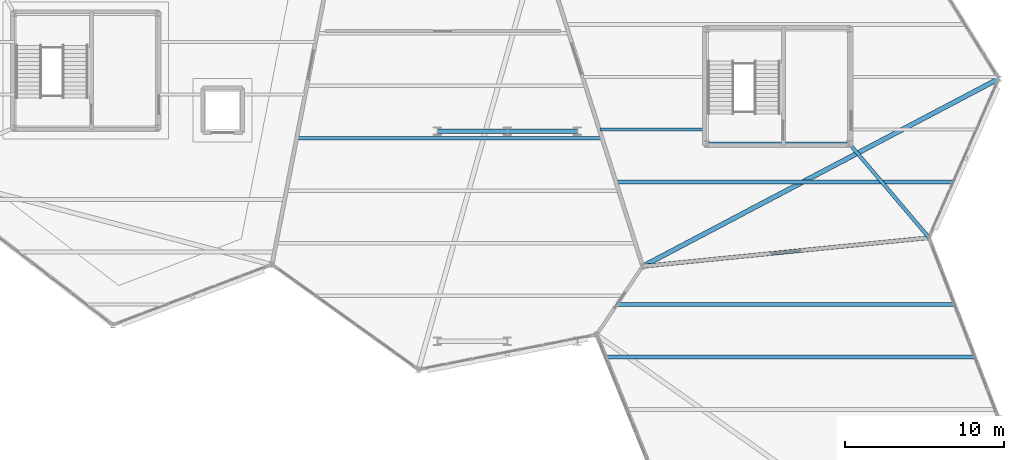
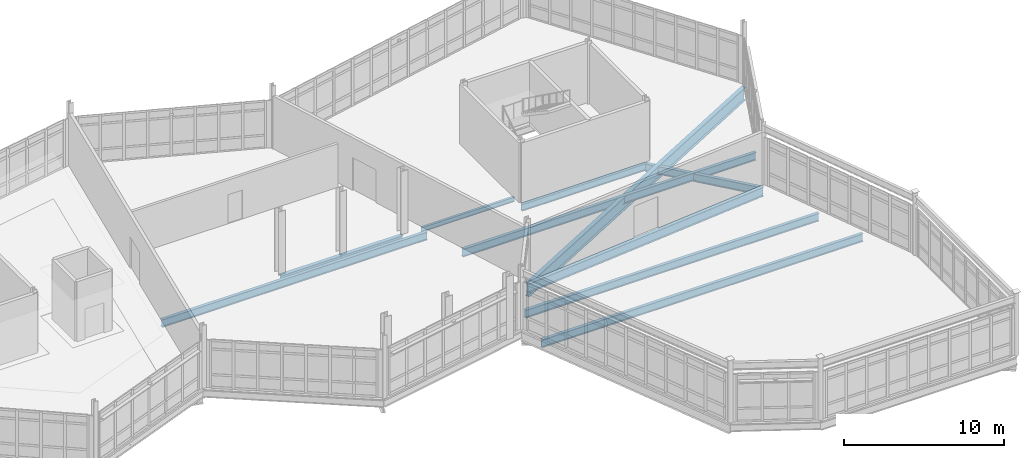
# One storey, part 68 of 134: 11 beams.
"""IFC4 building model written with IfcOpenShell, lengths in metres."""

from ifc_helpers import new_model, si_unit, direction, frame, origin, origin_2d, place, context, subcontext, project, spatial, i_section, extrude, material, material_profile, profile_set, type_object, element, save


model = new_model("IFC4")

# Units and contexts
model_context = context("Model", 3, precision=1e-05, world=origin(), true_north=direction((0.0, 1.0)))
body_context = subcontext(model_context, "Body", "Model", "MODEL_VIEW")
ifc_project = project(units=[si_unit("LENGTHUNIT", "METRE"), si_unit("AREAUNIT", "SQUARE_METRE"), si_unit("VOLUMEUNIT", "CUBIC_METRE"), si_unit("PLANEANGLEUNIT", "RADIAN"), si_unit("MASSUNIT", "GRAM", prefix="KILO")], contexts=[model_context])

# Site, building, storey
site_placement = place(None, origin())
site = spatial("IfcSite", under=ifc_project, at=site_placement, CompositionType="ELEMENT")
building_placement = place(site_placement, origin())
building = spatial("IfcBuilding", under=site, at=building_placement, Name="Tameran Prism Museum", CompositionType="ELEMENT")
storey_placement = place(building_placement, frame((0.0, 0.0, 5.39990234375)))
storey = spatial("IfcBuildingStorey", under=building, at=storey_placement, Name="L01", CompositionType="ELEMENT", Elevation=5.39990234375)

# Beams
ifc_material_1 = material(Name="Steel Grade 300PLUS (300 MPa)", Category="steel")
ifc_material_profile_1 = material_profile(ifc_material_1, i_section(OverallWidth=0.1708984375, OverallDepth=0.35595703125, WebThickness=0.00732421875, FlangeThickness=0.011474609375, FilletRadius=0.011474609375, at=origin_2d()))
ifc_profile_set_1 = profile_set([ifc_material_profile_1])
beam_type_1 = type_object("IfcBeamType", Name="BM-J360B", PredefinedType="JOIST", material=ifc_profile_set_1)
beam_1_placement = place(storey_placement, frame((141.31494140625, 30.800048828125, -0.3779296875), z_axis=(1.0, 0.0, 0.0), x_axis=(0.0, 1.0, 0.0)))
element("IfcBeam", 1, at=beam_1_placement, inside=storey, type_object=beam_type_1, Name="Floor Beam BM-0648", PredefinedType="JOIST", context=body_context, shape_type="SweptSolid", body=[
    extrude(i_section(OverallWidth=0.1708984375, OverallDepth=0.35595703125, WebThickness=0.00732421875, FlangeThickness=0.011474609375, FilletRadius=0.011474609375, at=origin_2d()), origin(), (0.0, 0.0, 1.0), 6.705078125),
])
ifc_material_2 = material(Name="Steel Grade 300PLUS (300 MPa)", Category="steel")
ifc_material_profile_2 = material_profile(ifc_material_2, i_section(OverallWidth=0.208984375, OverallDepth=0.528076171875, WebThickness=0.009521484375, FlangeThickness=0.01318359375, FilletRadius=0.013916015625, at=origin_2d()))
ifc_profile_set_2 = profile_set([ifc_material_profile_2])
beam_type_2 = type_object("IfcBeamType", Name="BM-SP530B", PredefinedType="SPANDREL", material=ifc_profile_set_2)
beam_2_placement = place(storey_placement, frame((148.02001953125, 29.919921875, -0.50390625), z_axis=(1.0, 0.0, 0.0), x_axis=(0.0, 1.0, 0.0)))
element("IfcBeam", 2, at=beam_2_placement, inside=storey, type_object=beam_type_2, Name="Core Ring Beam CTB-0486", PredefinedType="SPANDREL", context=body_context, shape_type="SweptSolid", body=[
    extrude(i_section(OverallWidth=0.208984375, OverallDepth=0.528076171875, WebThickness=0.009521484375, FlangeThickness=0.01318359375, FilletRadius=0.013916015625, at=origin_2d()), origin(), (0.0, 0.0, 1.0), 8.9599609375),
])
ifc_material_3 = material(Name="Steel Grade 350 (350 MPa)", Category="steel")
ifc_material_profile_3 = material_profile(ifc_material_3, i_section(OverallWidth=0.25, OverallDepth=0.699951171875, WebThickness=0.010009765625, FlangeThickness=0.02001953125, at=origin_2d()))
ifc_profile_set_3 = profile_set([ifc_material_profile_3])
beam_type_3 = type_object("IfcBeamType", Name="BM-SP700", PredefinedType="SPANDREL", material=ifc_profile_set_3)
beam_3_placement = place(storey_placement, frame((162.0, 24.0, -0.5498046875), z_axis=(-0.995036922958, -0.099506391506, 0.0), x_axis=(0.099506391506, -0.995036922958, 0.0)))
element("IfcBeam", 3, at=beam_3_placement, inside=storey, type_object=beam_type_3, Name="Perimeter Spandrel SP-0376", PredefinedType="SPANDREL", context=body_context, shape_type="SweptSolid", body=[
    extrude(i_section(OverallWidth=0.25, OverallDepth=0.699951171875, WebThickness=0.010009765625, FlangeThickness=0.02001953125, at=origin_2d()), origin(), (0.0, 0.0, 1.0), 18.08984375),
])
ifc_material_4 = material(Name="Steel Grade 300PLUS (300 MPa)", Category="steel")
ifc_material_profile_4 = material_profile(ifc_material_4, i_section(OverallWidth=0.22900390625, OverallDepth=0.612060546875, WebThickness=0.011962890625, FlangeThickness=0.01953125, FilletRadius=0.013916015625, at=origin_2d()))
ifc_profile_set_4 = profile_set([ifc_material_profile_4])
beam_type_4 = type_object("IfcBeamType", Name="BM-UB610A", PredefinedType="BEAM", material=ifc_profile_set_4)
beam_4_placement = place(storey_placement, frame((156.97998046875, 29.919921875, -0.559814453125), z_axis=(0.64675685698, -0.762696248811, 0.0), x_axis=(0.762696248811, 0.64675685698, 0.0)))
element("IfcBeam", 4, at=beam_4_placement, inside=storey, type_object=beam_type_4, Name="Frame Tie Girder FG-1434", PredefinedType="BEAM", context=body_context, shape_type="SweptSolid", body=[
    extrude(i_section(OverallWidth=0.22900390625, OverallDepth=0.612060546875, WebThickness=0.011962890625, FlangeThickness=0.01953125, FilletRadius=0.013916015625, at=origin_2d()), origin(), (0.0, 0.0, 1.0), 7.76171875),
])
ifc_material_5 = material(Name="Steel Grade 300PLUS (300 MPa)", Category="steel")
ifc_material_profile_5 = material_profile(ifc_material_5, i_section(OverallWidth=0.22802734375, OverallDepth=0.60693359375, WebThickness=0.01123046875, FlangeThickness=0.017333984375, FilletRadius=0.013916015625, at=origin_2d()))
ifc_profile_set_5 = profile_set([ifc_material_profile_5])
beam_type_5 = type_object("IfcBeamType", Name="BM-UB610B", PredefinedType="BEAM", material=ifc_profile_set_5)
beam_5_placement = place(storey_placement, frame((122.29296875, 30.25, -0.50341796875), z_axis=(1.0, 0.0, 0.0), x_axis=(0.0, 1.0, 0.0)))
element("IfcBeam", 5, at=beam_5_placement, inside=storey, type_object=beam_type_5, Name="Floor Beam BM-0573", PredefinedType="BEAM", context=body_context, shape_type="SweptSolid", body=[
    extrude(i_section(OverallWidth=0.22802734375, OverallDepth=0.60693359375, WebThickness=0.01123046875, FlangeThickness=0.017333984375, FilletRadius=0.013916015625, at=origin_2d()), origin(), (0.0, 0.0, 1.0), 19.113037109375),
])
beam_6_placement = place(storey_placement, frame((141.7099609375, 16.5, -0.50341796875), z_axis=(1.0, 0.0, 0.0), x_axis=(0.0, 1.0, 0.0)))
element("IfcBeam", 6, at=beam_6_placement, inside=storey, type_object=beam_type_5, Name="Floor Beam BM-0581", PredefinedType="BEAM", context=body_context, shape_type="SweptSolid", body=[
    extrude(i_section(OverallWidth=0.22802734375, OverallDepth=0.60693359375, WebThickness=0.01123046875, FlangeThickness=0.017333984375, FilletRadius=0.013916015625, at=origin_2d()), origin(), (0.0, 0.0, 1.0), 23.14208984375),
])
beam_7_placement = place(storey_placement, frame((142.429931640625, 19.800048828125, -0.50341796875), z_axis=(1.0, 0.0, 0.0), x_axis=(0.0, 1.0, 0.0)))
element("IfcBeam", 7, at=beam_7_placement, inside=storey, type_object=beam_type_5, Name="Floor Beam BM-0582", PredefinedType="BEAM", context=body_context, shape_type="SweptSolid", body=[
    extrude(i_section(OverallWidth=0.22802734375, OverallDepth=0.60693359375, WebThickness=0.01123046875, FlangeThickness=0.017333984375, FilletRadius=0.013916015625, at=origin_2d()), origin(), (0.0, 0.0, 1.0), 21.14794921875),
])
beam_8_placement = place(storey_placement, frame((142.361083984375, 27.5, -0.50341796875), z_axis=(1.0, 0.0, 0.0), x_axis=(0.0, 1.0, 0.0)))
element("IfcBeam", 8, at=beam_8_placement, inside=storey, type_object=beam_type_5, Name="Floor Beam BM-0647", PredefinedType="BEAM", context=body_context, shape_type="SweptSolid", body=[
    extrude(i_section(OverallWidth=0.22802734375, OverallDepth=0.60693359375, WebThickness=0.01123046875, FlangeThickness=0.017333984375, FilletRadius=0.013916015625, at=origin_2d()), origin(), (0.0, 0.0, 1.0), 21.135009765625),
])
ifc_material_6 = material(Name="Steel Grade 350 (350 MPa)", Category="steel")
ifc_material_profile_6 = material_profile(ifc_material_6, i_section(OverallWidth=0.300048828125, OverallDepth=1.0, WebThickness=0.01611328125, FlangeThickness=0.031982421875, at=origin_2d()))
ifc_profile_set_6 = profile_set([ifc_material_profile_6])
beam_type_6 = type_object("IfcBeamType", Name="BM-WB1000", PredefinedType="BEAM", material=ifc_profile_set_6)
beam_9_placement = place(storey_placement, frame((144.0, 22.199951171875, -0.699951171875), z_axis=(0.88474517305, 0.466075078463, 0.0), x_axis=(-0.466075078463, 0.88474517305, 0.0)))
element("IfcBeam", 9, at=beam_9_placement, inside=storey, type_object=beam_type_6, Name="Primary Vertex Girder PG-0437", PredefinedType="BEAM", context=body_context, shape_type="SweptSolid", body=[
    extrude(i_section(OverallWidth=0.300048828125, OverallDepth=1.0, WebThickness=0.01611328125, FlangeThickness=0.031982421875, at=origin_2d()), origin(), (0.0, 0.0, 1.0), 25.31787109375),
])
ifc_material_7 = material(Name="Steel Grade 350 (350 MPa)", Category="steel")
ifc_material_profile_7 = material_profile(ifc_material_7, i_section(OverallWidth=0.27490234375, OverallDepth=0.800048828125, WebThickness=0.011962890625, FlangeThickness=0.02490234375, at=origin_2d()))
ifc_profile_set_7 = profile_set([ifc_material_profile_7])
beam_type_7 = type_object("IfcBeamType", Name="BM-WB800", PredefinedType="BEAM", material=ifc_profile_set_7)
for number, where, z_axis, x_axis, name in (
    (10, (131.10009765625, 30.699951171875, -0.599853515625), (1.0, 0.0, 0.0), (0.0, 1.0, 0.0), "Frame Tie Girder FG-1372"),
    (11, (135.5, 30.699951171875, -0.599853515625), (1.0, 0.0, 0.0), (0.0, 1.0, 0.0), "Frame Tie Girder FG-1377"),
):
    element("IfcBeam", number, at=place(storey_placement, frame(where, z_axis=z_axis, x_axis=x_axis)), inside=storey, type_object=beam_type_7, Name=name, PredefinedType="BEAM", context=body_context, shape_type="SweptSolid", body=[
        extrude(i_section(OverallWidth=0.27490234375, OverallDepth=0.800048828125, WebThickness=0.011962890625, FlangeThickness=0.02490234375, at=origin_2d()), origin(), (0.0, 0.0, 1.0), 4.39990234375),
    ])

save(model, "model.ifc")
